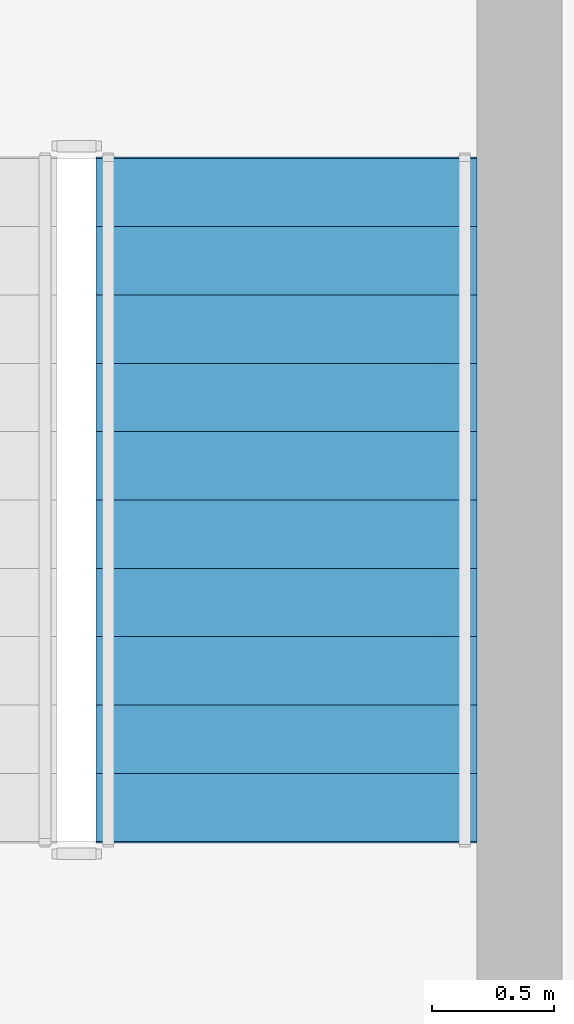
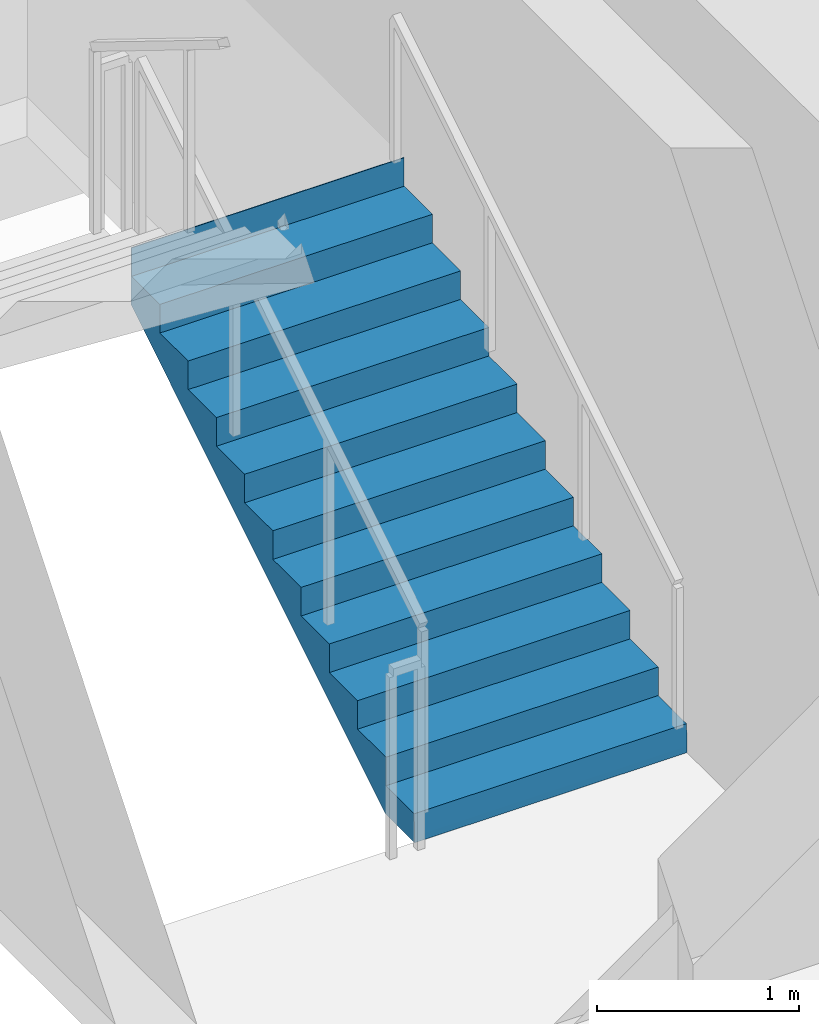
# One storey, part 9 of 14: 1 stair flight, 1 element without a shape of its own.
"""IFC4 building model written with IfcOpenShell, lengths in metres."""

import ifcopenshell
import ifcopenshell.guid

model = None  # the IFC model being written
_history = None  # IfcOwnerHistory: only IFC2X3 demands one
_inside = {}  # id of a spatial element -> (the spatial element, [elements in it])
_under = {}  # id of a project, library or spatial element -> (it, [spatial elements below it])
_declared = {}  # id of a project -> (the project, [libraries it declares])
_typed = {}  # id of a type object -> (the type object, [elements of that type])
_made_of = {}  # id of a material, layer set ... -> (it, [elements and type objects made of it])


def new_model(schema):
    """Start an empty IFC model of exactly this schema.

    Asked for "IFC4X3", IfcOpenShell would pick the latest addendum, in which some entities
    have other attributes; the version numbers below select the first issue.
    IFC2X3 requires an IfcOwnerHistory on every rooted entity: one is made here for all.
    """
    global model, _history
    if schema == "IFC4X3":
        model = ifcopenshell.file(schema_version=(4, 3, 0, 0))
    else:
        model = ifcopenshell.file(schema=schema)
    _inside.clear()
    _under.clear()
    _declared.clear()
    _typed.clear()
    _made_of.clear()
    _history = None
    if model.schema == "IFC2X3":
        org = make("IfcOrganization", Name="unknown")
        user = make(
            "IfcPersonAndOrganization",
            ThePerson=make("IfcPerson", FamilyName="unknown"),
            TheOrganization=org,
        )
        app = make(
            "IfcApplication",
            ApplicationDeveloper=org,
            Version="unknown",
            ApplicationFullName="unknown",
            ApplicationIdentifier="unknown",
        )
        _history = make(
            "IfcOwnerHistory",
            OwningUser=user,
            OwningApplication=app,
            ChangeAction="ADDED",
            CreationDate=0,
        )
    return model


def make(cls, **values):
    """One entity of the class cls with the attributes given. An attribute that is None is left unset."""
    return model.create_entity(
        cls, **{name: value for name, value in values.items() if value is not None}
    )


def rooted(cls, **values):
    """An entity with a GlobalId (a new one), such as an element, a storey or a relation."""
    return make(cls, GlobalId=ifcopenshell.guid.new(), OwnerHistory=_history, **values)


def si_unit(unit_type, name, prefix=None):
    """IfcSIUnit, for example si_unit("LENGTHUNIT", "METRE", prefix="MILLI")."""
    return make("IfcSIUnit", UnitType=unit_type, Prefix=prefix, Name=name)


def assignment(units):
    """IfcUnitAssignment: the units of a project."""
    return None if units is None else make("IfcUnitAssignment", Units=units)


def point(xyz):
    """IfcCartesianPoint."""
    return None if xyz is None else make("IfcCartesianPoint", Coordinates=xyz)


def direction(xyz):
    """IfcDirection."""
    return None if xyz is None else make("IfcDirection", DirectionRatios=xyz)


def frame(location, z_axis=None, x_axis=None):
    """IfcAxis2Placement3D, a coordinate frame: its origin and axes. An axis left out is left unset."""
    return make(
        "IfcAxis2Placement3D",
        Location=point(location),
        Axis=direction(z_axis),
        RefDirection=direction(x_axis),
    )


def origin():
    """The frame at (0, 0, 0) with its axes left unset."""
    return frame((0.0, 0.0, 0.0))


def place(relative_to, where):
    """IfcLocalPlacement: puts the frame where relative to a parent placement (None: the world)."""
    return make(
        "IfcLocalPlacement", PlacementRelTo=relative_to, RelativePlacement=where
    )


def context(
    kind, dimensions, precision=None, world=None, true_north=None, identifier=None
):
    """IfcGeometricRepresentationContext, for example the 3D "Model" context."""
    return make(
        "IfcGeometricRepresentationContext",
        ContextIdentifier=identifier,
        ContextType=kind,
        CoordinateSpaceDimension=dimensions,
        Precision=precision,
        WorldCoordinateSystem=world,
        TrueNorth=true_north,
    )


def subcontext(parent, identifier, kind, view, scale=None):
    """IfcGeometricRepresentationSubContext, for example "Body" below "Model"."""
    return make(
        "IfcGeometricRepresentationSubContext",
        ContextIdentifier=identifier,
        ContextType=kind,
        ParentContext=parent,
        TargetScale=scale,
        TargetView=view,
    )


def project(units=None, contexts=None):
    """IfcProject with its units and contexts."""
    return rooted(
        "IfcProject",
        Name="project",
        RepresentationContexts=contexts,
        UnitsInContext=assignment(units),
    )


def spatial(cls, under=None, at=None, **own):
    """A site, building, storey or space (cls), placed at a placement, below another one or the project."""
    s = rooted(cls, ObjectPlacement=at, **own)
    if under is not None:
        _under.setdefault(under.id(), (under, []))[1].append(s)
    return s


def polyline(points):
    """IfcPolyline through the points."""
    return make("IfcPolyline", Points=[point(p) for p in points])


def outline(outer, holes=None, kind="AREA"):
    """IfcArbitraryClosedProfileDef: a profile drawn as a closed curve; with holes, ...WithVoids."""
    if holes is None:
        return make("IfcArbitraryClosedProfileDef", ProfileType=kind, OuterCurve=outer)
    return make(
        "IfcArbitraryProfileDefWithVoids",
        ProfileType=kind,
        OuterCurve=outer,
        InnerCurves=holes,
    )


def extrude(swept, where, along, depth):
    """IfcExtrudedAreaSolid: the profile swept, set in the frame where, extruded along a direction by depth."""
    return make(
        "IfcExtrudedAreaSolid",
        SweptArea=swept,
        Position=where,
        ExtrudedDirection=direction(along),
        Depth=depth,
    )


def shape(context_of_items, identifier, shape_type, items):
    """IfcShapeRepresentation: the items that make up one representation, for example the "Body"."""
    return make(
        "IfcShapeRepresentation",
        ContextOfItems=context_of_items,
        RepresentationIdentifier=identifier,
        RepresentationType=shape_type,
        Items=items,
    )


def material(Name=None, Category=None):
    """IfcMaterial."""
    return make("IfcMaterial", Name=Name, Category=Category)


def made_of(thing, what):
    """Note that an element or type object is made of a material, layer set ...; save() writes the relation."""
    if what is not None:
        _made_of.setdefault(what.id(), (what, []))[1].append(thing)
    return thing


def type_object(cls, material=None, **own):
    """A type object (cls), such as IfcWallType, which elements share."""
    return made_of(rooted(cls, **own), material)


def element(
    cls,
    number,
    at=None,
    inside=None,
    cuts=None,
    type_object=None,
    material=None,
    context=None,
    identifier="Body",
    shape_type=None,
    held_by="IfcProductDefinitionShape",
    body=None,
    shapes=None,
    **own,
):
    """One element of the class cls, such as IfcWall. Its Tag is "e" and its number.

    at: its placement. inside: the storey or other place that contains it. cuts: it is an
    opening in that element (IfcRelVoidsElement). A single representation is given by context,
    identifier, shape_type and body (its items); several are given by shapes. held_by: the class
    of the entity that holds the representations. save() writes the other relations.
    """
    e = rooted(cls, Tag="e%d" % number, ObjectPlacement=at, **own)
    if body is not None:
        shapes = [shape(context, identifier, shape_type, body)]
    if shapes is not None:
        e.Representation = make(held_by, Representations=shapes)
    if inside is not None:
        _inside.setdefault(inside.id(), (inside, []))[1].append(e)
    if cuts is not None:
        rooted(
            "IfcRelVoidsElement", RelatingBuildingElement=cuts, RelatedOpeningElement=e
        )
    if type_object is not None:
        _typed.setdefault(type_object.id(), (type_object, []))[1].append(e)
    return made_of(e, material)


def aggregate(whole, parts):
    """IfcRelAggregates: a whole, such as a stair, and the parts it consists of."""
    return rooted("IfcRelAggregates", RelatingObject=whole, RelatedObjects=parts)


def save(model, path):
    """Write the relations noted so far, then the file.

    IfcRelAggregates (storeys below a building ...), IfcRelContainedInSpatialStructure (elements
    in a storey), IfcRelDefinesByType, IfcRelAssociatesMaterial and IfcRelDeclares: one each for
    every whole, place, type object, material and project.
    """
    for whole, parts in _under.values():
        aggregate(whole, parts)
    for where, things in _inside.values():
        rooted(
            "IfcRelContainedInSpatialStructure",
            RelatedElements=things,
            RelatingStructure=where,
        )
    for kind, things in _typed.values():
        rooted("IfcRelDefinesByType", RelatedObjects=things, RelatingType=kind)
    for what, things in _made_of.values():
        rooted("IfcRelAssociatesMaterial", RelatedObjects=things, RelatingMaterial=what)
    for by, libraries in _declared.values():
        rooted("IfcRelDeclares", RelatingContext=by, RelatedDefinitions=libraries)
    model.write(path)


model = new_model("IFC4")

# Units and contexts
model_context = context("Model", 3, precision=1e-05, world=origin(), true_north=direction((0.0, 1.0)))
body_context = subcontext(model_context, "Body", "Model", "MODEL_VIEW")
ifc_project = project(units=[si_unit("LENGTHUNIT", "METRE"), si_unit("AREAUNIT", "SQUARE_METRE"), si_unit("VOLUMEUNIT", "CUBIC_METRE"), si_unit("PLANEANGLEUNIT", "RADIAN"), si_unit("MASSUNIT", "GRAM", prefix="KILO")], contexts=[model_context])

# Site, building, storey
site_placement = place(None, origin())
site = spatial("IfcSite", under=ifc_project, at=site_placement, CompositionType="ELEMENT")
building_placement = place(site_placement, origin())
building = spatial("IfcBuilding", under=site, at=building_placement, Name="Kaelvorn Grand Hotel", CompositionType="ELEMENT")
storey_placement = place(building_placement, frame((0.0, 0.0, 205.35009765625)))
storey = spatial("IfcBuildingStorey", under=building, at=storey_placement, Name="L50", CompositionType="ELEMENT", Elevation=205.35009765625)

# Stair, stair flight
ifc_material = material(Name="Concrete C40/50", Category="concrete")
stair_type = type_object("IfcStairType", Name="STR-DOG-1560-R08", PredefinedType="HALF_TURN_STAIR", material=ifc_material)
stair_placement = place(storey_placement, origin())
stair = element("IfcStair", 1, at=stair_placement, inside=storey, type_object=stair_type, Name="L50 East Core Exit Stair ST3", PredefinedType="HALF_TURN_STAIR")
stair_flight_type = type_object("IfcStairFlightType", Name="FLG-DOG-1560-R08", PredefinedType="STRAIGHT", material=ifc_material)
stair_flight_placement = place(storey_placement, frame((65.820068359375, 41.760009765625, 0.0), z_axis=(0.0, 0.0, 1.0), x_axis=(0.0, 1.0, 0.0)))
stair_flight = element("IfcStairFlight", 2, at=stair_flight_placement, type_object=stair_flight_type, Name="ST3 flight 1", NumberOfRisers=11, NumberOfTreads=10, PredefinedType="STRAIGHT", RiserHeight=0.172727273, TreadLength=0.28, context=body_context, shape_type="SweptSolid", body=[
    extrude(outline(polyline([(-0.0048828125, 0.0), (-0.0048828125, 0.0400390625), (0.0, 0.172607421875), (0.280029296875, 0.172607421875), (0.280029296875, 0.345458984375), (0.56005859375, 0.345458984375), (0.56005859375, 0.51806640625), (0.840087890625, 0.51806640625), (0.840087890625, 0.69091796875), (1.1201171875, 0.69091796875), (1.1201171875, 0.863525390625), (1.39990234375, 0.863525390625), (1.39990234375, 1.036376953125), (1.679931640625, 1.036376953125), (1.679931640625, 1.208984375), (1.9599609375, 1.208984375), (1.9599609375, 1.3818359375), (2.239990234375, 1.3818359375), (2.239990234375, 1.554443359375), (2.52001953125, 1.554443359375), (2.52001953125, 1.727294921875), (2.800048828125, 1.727294921875), (2.800048828125, 1.89990234375), (2.804931640625, 1.89990234375), (2.804931640625, 1.551025390625), (0.285400390625, 0.0), (-0.0048828125, 0.0)])), frame((0.0, 0.780029296875, 0.0), z_axis=(0.0, -1.0, 0.0), x_axis=(1.0, 0.0, 0.0)), (0.0, 0.0, 1.0), 1.56005859375),
])
aggregate(stair, [stair_flight])

save(model, "model.ifc")
